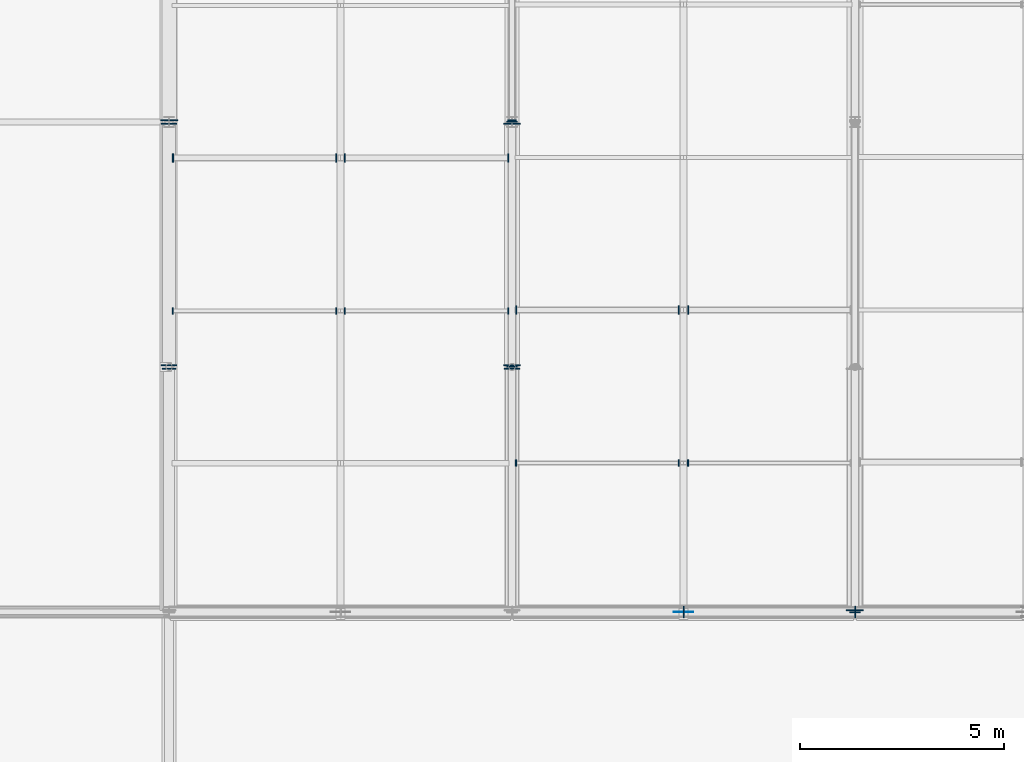
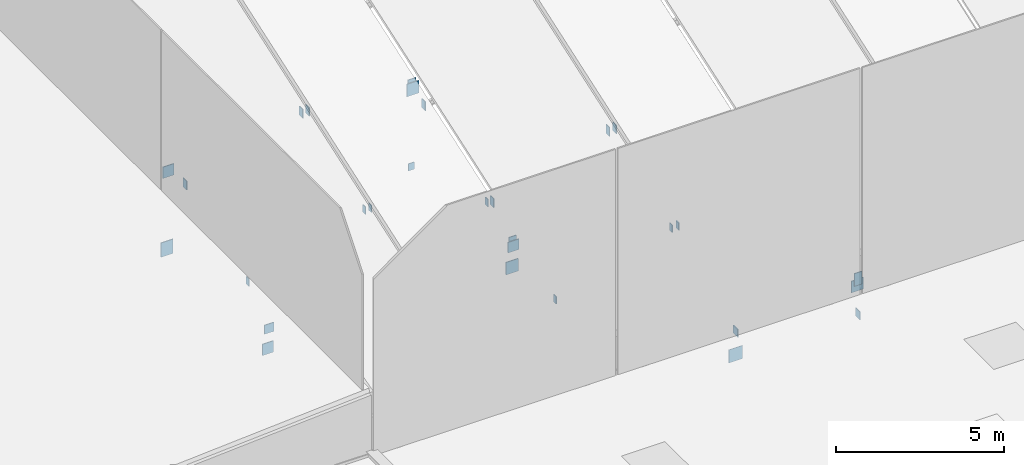
# One storey, part 56 of 77: 29 plates.
"""IFC4 building model written with IfcOpenShell, lengths in metres."""

from ifc_helpers import new_model, si_unit, direction, frame, origin, origin_2d, place, context, subcontext, project, spatial, rectangle, extrude, material, layer, layer_set, type_object, element, save


model = new_model("IFC4")

# Units and contexts
model_context = context("Model", 3, precision=1e-05, world=origin(), true_north=direction((0.0, 1.0)))
body_context = subcontext(model_context, "Body", "Model", "MODEL_VIEW")
ifc_project = project(units=[si_unit("LENGTHUNIT", "METRE"), si_unit("AREAUNIT", "SQUARE_METRE"), si_unit("VOLUMEUNIT", "CUBIC_METRE"), si_unit("PLANEANGLEUNIT", "RADIAN"), si_unit("MASSUNIT", "GRAM", prefix="KILO")], contexts=[model_context])

# Site, building, storey
site_placement = place(None, origin())
site = spatial("IfcSite", under=ifc_project, at=site_placement, CompositionType="ELEMENT")
building_placement = place(site_placement, origin())
building = spatial("IfcBuilding", under=site, at=building_placement, Name="Larkvane Passage Sports Hall", CompositionType="ELEMENT")
storey_placement = place(building_placement, frame((0.0, 0.0, 22.199951171875)))
storey = spatial("IfcBuildingStorey", under=building, at=storey_placement, Name="RF", CompositionType="ELEMENT", Elevation=22.199951171875)

# Plates
ifc_material_1 = material(Name="Steel S355JR", Category="steel")
ifc_layer_1 = layer(ifc_material_1, 0.011962890625)
ifc_layer_set_1 = layer_set([ifc_layer_1], Name="Steel S355JR")
plate_type_1 = type_object("IfcPlateType", Name="PLT-CAP-12", PredefinedType="SHEET", material=ifc_layer_set_1)
plate_1_placement = place(storey_placement, frame((34.800048828125, 45.555908203125, 0.798583984375), z_axis=(0.0, 0.0, 1.0), x_axis=(-1.0, 0.0, 0.0)))
element("IfcPlate", 1, at=plate_1_placement, inside=storey, type_object=plate_type_1, Name="Hollow section sealed end cap plate 0224", PredefinedType="SHEET", context=body_context, shape_type="SweptSolid", body=[
    extrude(rectangle(XDim=0.326904296875, YDim=0.028076171875, at=origin_2d()), origin(), (0.0, 0.0, 1.0), 0.330078125),
])
plate_2_placement = place(storey_placement, frame((43.199951171875, 51.6455078125, 0.0830078125), z_axis=(0.0, 0.0, 1.0), x_axis=(-1.0, 0.0, 0.0)))
element("IfcPlate", 2, at=plate_2_placement, inside=storey, type_object=plate_type_1, Name="Hollow section sealed end cap plate 0244", PredefinedType="SHEET", context=body_context, shape_type="SweptSolid", body=[
    extrude(rectangle(XDim=0.2099609375, YDim=0.028076171875, at=origin_2d()), origin(), (0.0, 0.0, 1.0), 0.256103515625),
])
for number, where, z_axis, x_axis, name in (
    (3, (47.406005859375, 39.60009765625, -0.0888671875), (0.0, 0.0, 1.0), (0.0, 1.0, 0.0), "Hollow section sealed end cap plate 0367"),
    (4, (51.60595703125, 39.60009765625, -0.92138671875), (0.0, 0.0, 1.0), (0.0, 1.0, 0.0), "Hollow section sealed end cap plate 0368"),
):
    element("IfcPlate", number, at=place(storey_placement, frame(where, z_axis=z_axis, x_axis=x_axis)), inside=storey, type_object=plate_type_1, Name=name, PredefinedType="SHEET", context=body_context, shape_type="SweptSolid", body=[
        extrude(rectangle(XDim=0.27587890625, YDim=0.028076171875, at=origin_2d()), origin(), (0.0, 0.0, 1.0), 0.280029296875),
    ])
for number, where, z_axis, x_axis, name in (
    (5, (34.889404296875, 46.97509765625, 1.639404296875), (0.0, 0.0, 1.0), (0.0, 1.0, 0.0), "Hollow section sealed end cap plate 0385"),
    (6, (39.100830078125, 46.97509765625, 2.842529296875), (0.0, 0.0, 1.0), (0.0, 1.0, 0.0), "Hollow section sealed end cap plate 0386"),
):
    element("IfcPlate", number, at=place(storey_placement, frame(where, z_axis=z_axis, x_axis=x_axis)), inside=storey, type_object=plate_type_1, Name=name, PredefinedType="SHEET", context=body_context, shape_type="SweptSolid", body=[
        extrude(rectangle(XDim=0.159912109375, YDim=0.028076171875, at=origin_2d()), origin(), (0.0, 0.0, 1.0), 0.26806640625),
    ])
for number, where, z_axis, x_axis, name in (
    (7, (34.89599609375, 50.722900390625, 2.88232421875), (0.0, 0.0, 1.0), (0.0, 1.0, 0.0), "Hollow section sealed end cap plate 0387"),
    (8, (39.107421875, 50.722900390625, 4.0859375), (0.0, 0.0, 1.0), (0.0, 1.0, 0.0), "Hollow section sealed end cap plate 0388"),
):
    element("IfcPlate", number, at=place(storey_placement, frame(where, z_axis=z_axis, x_axis=x_axis)), inside=storey, type_object=plate_type_1, Name=name, PredefinedType="SHEET", context=body_context, shape_type="SweptSolid", body=[
        extrude(rectangle(XDim=0.2099609375, YDim=0.028076171875, at=origin_2d()), origin(), (0.0, 0.0, 1.0), 0.320068359375),
    ])
for number, where, z_axis, x_axis, name in (
    (9, (38.899169921875, 46.97509765625, 2.842529296875), (0.0, 0.0, 1.0), (0.0, 1.0, 0.0), "Hollow section sealed end cap plate 0389"),
    (10, (43.110595703125, 46.97509765625, 1.639404296875), (0.0, 0.0, 1.0), (0.0, 1.0, 0.0), "Hollow section sealed end cap plate 0390"),
):
    element("IfcPlate", number, at=place(storey_placement, frame(where, z_axis=z_axis, x_axis=x_axis)), inside=storey, type_object=plate_type_1, Name=name, PredefinedType="SHEET", context=body_context, shape_type="SweptSolid", body=[
        extrude(rectangle(XDim=0.159912109375, YDim=0.028076171875, at=origin_2d()), origin(), (0.0, 0.0, 1.0), 0.26806640625),
    ])
for number, where, z_axis, x_axis, name in (
    (11, (38.892578125, 50.722900390625, 4.0859375), (0.0, 0.0, 1.0), (0.0, 1.0, 0.0), "Hollow section sealed end cap plate 0391"),
    (12, (43.10400390625, 50.722900390625, 2.88232421875), (0.0, 0.0, 1.0), (0.0, 1.0, 0.0), "Hollow section sealed end cap plate 0392"),
):
    element("IfcPlate", number, at=place(storey_placement, frame(where, z_axis=z_axis, x_axis=x_axis)), inside=storey, type_object=plate_type_1, Name=name, PredefinedType="SHEET", context=body_context, shape_type="SweptSolid", body=[
        extrude(rectangle(XDim=0.2099609375, YDim=0.028076171875, at=origin_2d()), origin(), (0.0, 0.0, 1.0), 0.320068359375),
    ])
for number, where, z_axis, x_axis, name in (
    (13, (43.2998046875, 43.247802734375, 0.310791015625), (0.0, 0.0, 1.0), (0.0, 1.0, 0.0), "Hollow section sealed end cap plate 0401"),
    (14, (47.511474609375, 43.247802734375, 1.51416015625), (0.0, 0.0, 1.0), (0.0, 1.0, 0.0), "Hollow section sealed end cap plate 0402"),
):
    element("IfcPlate", number, at=place(storey_placement, frame(where, z_axis=z_axis, x_axis=x_axis)), inside=storey, type_object=plate_type_1, Name=name, PredefinedType="SHEET", context=body_context, shape_type="SweptSolid", body=[
        extrude(rectangle(XDim=0.159912109375, YDim=0.028076171875, at=origin_2d()), origin(), (0.0, 0.0, 1.0), 0.26806640625),
    ])
for number, where, z_axis, x_axis, name in (
    (15, (43.306396484375, 46.99560546875, 1.55419921875), (0.0, 0.0, 1.0), (0.0, 1.0, 0.0), "Hollow section sealed end cap plate 0403"),
    (16, (47.517822265625, 46.99560546875, 2.75732421875), (0.0, 0.0, 1.0), (0.0, 1.0, 0.0), "Hollow section sealed end cap plate 0404"),
):
    element("IfcPlate", number, at=place(storey_placement, frame(where, z_axis=z_axis, x_axis=x_axis)), inside=storey, type_object=plate_type_1, Name=name, PredefinedType="SHEET", context=body_context, shape_type="SweptSolid", body=[
        extrude(rectangle(XDim=0.2099609375, YDim=0.028076171875, at=origin_2d()), origin(), (0.0, 0.0, 1.0), 0.320068359375),
    ])
plate_3_placement = place(storey_placement, frame((47.28857421875, 43.247802734375, 1.51416015625), z_axis=(0.0, 0.0, 1.0), x_axis=(0.0, 1.0, 0.0)))
element("IfcPlate", 17, at=plate_3_placement, inside=storey, type_object=plate_type_1, Name="Hollow section sealed end cap plate 0407", PredefinedType="SHEET", context=body_context, shape_type="SweptSolid", body=[
    extrude(rectangle(XDim=0.159912109375, YDim=0.028076171875, at=origin_2d()), origin(), (0.0, 0.0, 1.0), 0.26806640625),
])
plate_4_placement = place(storey_placement, frame((47.281982421875, 46.99560546875, 2.75732421875), z_axis=(0.0, 0.0, 1.0), x_axis=(0.0, 1.0, 0.0)))
element("IfcPlate", 18, at=plate_4_placement, inside=storey, type_object=plate_type_1, Name="Hollow section sealed end cap plate 0409", PredefinedType="SHEET", context=body_context, shape_type="SweptSolid", body=[
    extrude(rectangle(XDim=0.2099609375, YDim=0.028076171875, at=origin_2d()), origin(), (0.0, 0.0, 1.0), 0.320068359375),
])
ifc_material_2 = material(Name="Steel S460N", Category="steel")
ifc_layer_2 = layer(ifc_material_2, 0.02001953125)
ifc_layer_set_2 = layer_set([ifc_layer_2], Name="Steel S460N")
plate_type_2 = type_object("IfcPlateType", Name="PLT-CAP-20", PredefinedType="SHEET", material=ifc_layer_set_2)
for number, where, z_axis, x_axis, name in (
    (19, (34.800048828125, 45.64111328125, -0.021240234375), (0.0, 0.0, 1.0), (-1.0, 0.0, 0.0), "Hollow section sealed end cap plate 0225"),
    (20, (34.800048828125, 51.55908203125, 2.832763671875), (0.0, 0.0, 1.0), (-1.0, 0.0, 0.0), "Hollow section sealed end cap plate 0226"),
):
    element("IfcPlate", number, at=place(storey_placement, frame(where, z_axis=z_axis, x_axis=x_axis)), inside=storey, type_object=plate_type_2, Name=name, PredefinedType="SHEET", context=body_context, shape_type="SweptSolid", body=[
        extrude(rectangle(XDim=0.37890625, YDim=0.028076171875, at=origin_2d()), origin(), (0.0, 0.0, 1.0), 0.4140625),
    ])
plate_5_placement = place(storey_placement, frame((34.800048828125, 51.642333984375, -0.077880859375), z_axis=(0.0, 0.0, 1.0), x_axis=(-1.0, 0.0, 0.0)))
element("IfcPlate", 21, at=plate_5_placement, inside=storey, type_object=plate_type_2, Name="Hollow section sealed end cap plate 0227", PredefinedType="SHEET", context=body_context, shape_type="SweptSolid", body=[
    extrude(rectangle(XDim=0.416015625, YDim=0.028076171875, at=origin_2d()), origin(), (0.0, 0.0, 1.0), 0.52294921875),
])
plate_6_placement = place(storey_placement, frame((43.199951171875, 45.60986328125, 0.97265625), z_axis=(0.0, 0.0, 1.0), x_axis=(-1.0, 0.0, 0.0)))
element("IfcPlate", 22, at=plate_6_placement, inside=storey, type_object=plate_type_2, Name="Hollow section sealed end cap plate 0237", PredefinedType="SHEET", context=body_context, shape_type="SweptSolid", body=[
    extrude(rectangle(XDim=0.260009765625, YDim=0.028076171875, at=origin_2d()), origin(), (0.0, 0.0, 1.0), 0.362060546875),
])
plate_7_placement = place(storey_placement, frame((43.199951171875, 45.559814453125, 0.82373046875), z_axis=(0.0, 0.0, 1.0), x_axis=(-1.0, 0.0, 0.0)))
element("IfcPlate", 23, at=plate_7_placement, inside=storey, type_object=plate_type_2, Name="Hollow section sealed end cap plate 0239", PredefinedType="SHEET", context=body_context, shape_type="SweptSolid", body=[
    extrude(rectangle(XDim=0.37890625, YDim=0.028076171875, at=origin_2d()), origin(), (0.0, 0.0, 1.0), 0.381103515625),
])
plate_8_placement = place(storey_placement, frame((43.199951171875, 51.609619140625, 3.040283203125), z_axis=(0.0, 0.0, 1.0), x_axis=(-1.0, 0.0, 0.0)))
element("IfcPlate", 24, at=plate_8_placement, inside=storey, type_object=plate_type_2, Name="Hollow section sealed end cap plate 0240", PredefinedType="SHEET", context=body_context, shape_type="SweptSolid", body=[
    extrude(rectangle(XDim=0.260009765625, YDim=0.028076171875, at=origin_2d()), origin(), (0.0, 0.0, 1.0), 0.376953125),
])
for number, where, z_axis, x_axis, name in (
    (25, (43.199951171875, 45.64111328125, -0.016845703125), (0.0, 0.0, 1.0), (-1.0, 0.0, 0.0), "Hollow section sealed end cap plate 0241"),
    (26, (43.199951171875, 51.55908203125, 2.8623046875), (0.0, 0.0, 1.0), (-1.0, 0.0, 0.0), "Hollow section sealed end cap plate 0242"),
):
    element("IfcPlate", number, at=place(storey_placement, frame(where, z_axis=z_axis, x_axis=x_axis)), inside=storey, type_object=plate_type_2, Name=name, PredefinedType="SHEET", context=body_context, shape_type="SweptSolid", body=[
        extrude(rectangle(XDim=0.416015625, YDim=0.028076171875, at=origin_2d()), origin(), (0.0, 0.0, 1.0), 0.455078125),
    ])
plate_9_placement = place(storey_placement, frame((51.60009765625, 39.590087890625, 0.26806640625), z_axis=(0.0, 0.0, 1.0), x_axis=(-1.0, 0.0, 0.0)))
element("IfcPlate", 27, at=plate_9_placement, inside=storey, type_object=plate_type_2, Name="Hollow section sealed end cap plate 0256", PredefinedType="SHEET", context=body_context, shape_type="SweptSolid", body=[
    extrude(rectangle(XDim=0.260009765625, YDim=0.028076171875, at=origin_2d()), origin(), (0.0, 0.0, 1.0), 0.4619140625),
])
plate_10_placement = place(storey_placement, frame((51.60009765625, 39.64013671875, 0.02978515625), z_axis=(0.0, 0.0, 1.0), x_axis=(-1.0, 0.0, 0.0)))
element("IfcPlate", 28, at=plate_10_placement, inside=storey, type_object=plate_type_2, Name="Hollow section sealed end cap plate 0258", PredefinedType="SHEET", context=body_context, shape_type="SweptSolid", body=[
    extrude(rectangle(XDim=0.416015625, YDim=0.028076171875, at=origin_2d()), origin(), (0.0, 0.0, 1.0), 0.41796875),
])
ifc_layer_3 = layer(ifc_material_2, 0.01611328125)
ifc_layer_set_3 = layer_set([ifc_layer_3], Name="Steel S460N")
plate_type_3 = type_object("IfcPlateType", Name="PLT-GUS-16", PredefinedType="USERDEFINED", material=ifc_layer_set_3)
plate_11_placement = place(storey_placement, frame((47.39990234375, 39.60009765625, -1.02001953125), z_axis=(0.0, 0.0, 1.0), x_axis=(1.0, 0.0, 0.0)))
element("IfcPlate", 29, at=plate_11_placement, inside=storey, type_object=plate_type_3, Name="Brace connection gusset plate 0369", ObjectType="GUSSET PLATE", PredefinedType="USERDEFINED", context=body_context, shape_type="SweptSolid", body=[
    extrude(rectangle(XDim=0.47998046875, YDim=0.01611328125, at=origin_2d()), origin(), (0.0, 0.0, 1.0), 0.47998046875),
])

save(model, "model.ifc")
